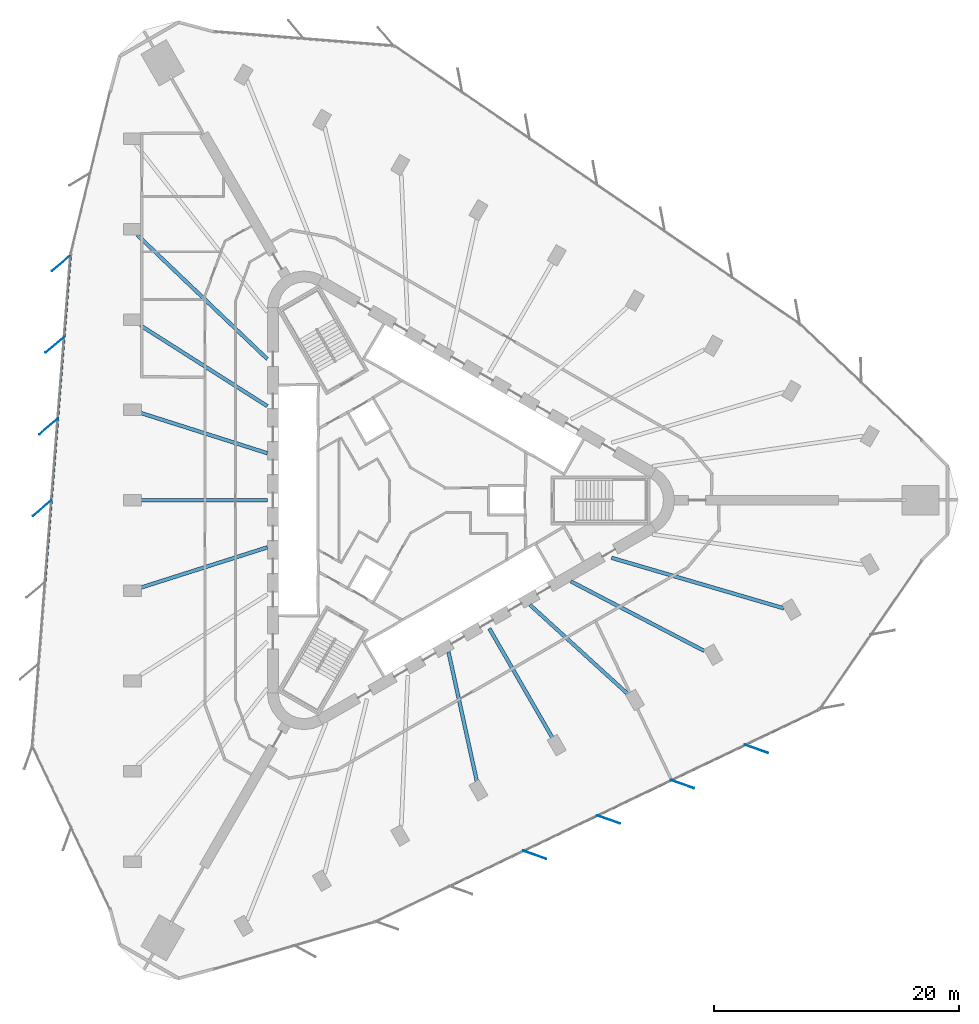
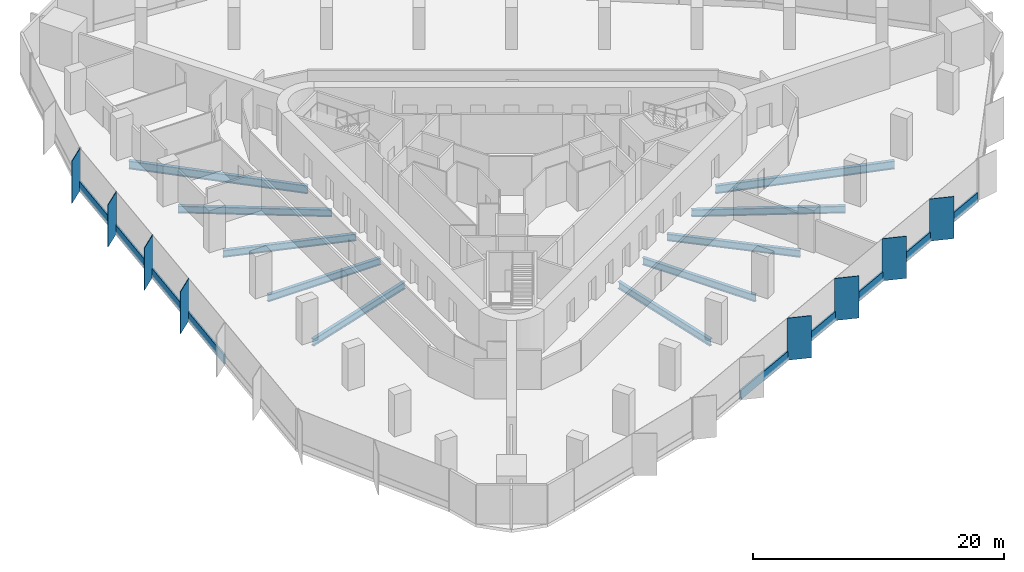
# One storey, part 3 of 14: 17 members, 10 beams, 2 elements without a shape of their own.
"""IFC4 building model written with IfcOpenShell, lengths in metres."""

from ifc_helpers import new_model, si_unit, direction, frame, origin, origin_2d, place, context, subcontext, project, spatial, rectangle, i_section, extrude, material, material_profile, profile_set, type_object, element, aggregate, save


model = new_model("IFC4")

# Units and contexts
model_context = context("Model", 3, precision=1e-05, world=origin(), true_north=direction((0.0, 1.0)))
body_context = subcontext(model_context, "Body", "Model", "MODEL_VIEW")
ifc_project = project(units=[si_unit("LENGTHUNIT", "METRE"), si_unit("AREAUNIT", "SQUARE_METRE"), si_unit("VOLUMEUNIT", "CUBIC_METRE"), si_unit("PLANEANGLEUNIT", "RADIAN"), si_unit("MASSUNIT", "GRAM", prefix="KILO")], contexts=[model_context])

# Site, building, storey
site_placement = place(None, origin())
site = spatial("IfcSite", under=ifc_project, at=site_placement, CompositionType="ELEMENT")
building_placement = place(site_placement, origin())
building = spatial("IfcBuilding", under=site, at=building_placement, Name="Tanit Gate Tower", CompositionType="ELEMENT")
storey_placement = place(building_placement, frame((0.0, 0.0, 82.39990234375)))
storey = spatial("IfcBuildingStorey", under=building, at=storey_placement, Name="L16", CompositionType="ELEMENT", Elevation=82.39990234375)

# Curtain wall, members
ifc_material_1 = material(Name="Aluminium bronze anodised and glass", Category="aluminium")
curtain_wall_type = type_object("IfcCurtainWallType", Name="Curtain wall typical low", PredefinedType="NOTDEFINED", material=ifc_material_1)
curtain_wall_1_placement = place(storey_placement, origin())
curtain_wall_1 = element("IfcCurtainWall", 1, at=curtain_wall_1_placement, inside=storey, type_object=curtain_wall_type, Name="Curtain wall L16 W2", PredefinedType="NOTDEFINED")
ifc_material_2 = material(Name="Aluminium bronze anodised", Category="aluminium")
ifc_material_profile_1 = material_profile(ifc_material_2, rectangle(XDim=2.0, YDim=0.055908203125, at=origin_2d()), Name="56x2000 bronze fin mullion")
ifc_profile_set_1 = profile_set([ifc_material_profile_1], Name="Aluminium bronze anodised")
member_type_1 = type_object("IfcMemberType", Name="FIN MULLION 56x2000 bronze", PredefinedType="MULLION", material=ifc_profile_set_1)
member_1_placement = place(storey_placement, frame((-28.95263671875, 19.40625, -0.2998046875), z_axis=(0.0, 0.0, 1.0), x_axis=(0.75991198916, 0.650025975428, 0.0)))
member_1 = element("IfcMember", 2, at=member_1_placement, type_object=member_type_1, Name="Fin mullion L16 W2.1", PredefinedType="MULLION", context=body_context, shape_type="SweptSolid", body=[
    extrude(rectangle(XDim=2.0, YDim=0.055908203125, at=origin_2d()), origin(), (0.0, 0.0, 1.0), 4.099853515625),
])
member_2_placement = place(storey_placement, frame((-29.47314453125, 12.726318359375, -0.2998046875), z_axis=(0.0, 0.0, 1.0), x_axis=(0.75991198916, 0.650025975428, 0.0)))
member_2 = element("IfcMember", 3, at=member_2_placement, type_object=member_type_1, Name="Fin mullion L16 W2.2", PredefinedType="MULLION", context=body_context, shape_type="SweptSolid", body=[
    extrude(rectangle(XDim=2.0, YDim=0.055908203125, at=origin_2d()), origin(), (0.0, 0.0, 1.0), 4.099853515625),
])
member_3_placement = place(storey_placement, frame((-29.99365234375, 6.04638671875, -0.2998046875), z_axis=(0.0, 0.0, 1.0), x_axis=(0.75991198916, 0.650025975428, 0.0)))
member_3 = element("IfcMember", 4, at=member_3_placement, type_object=member_type_1, Name="Fin mullion L16 W2.3", PredefinedType="MULLION", context=body_context, shape_type="SweptSolid", body=[
    extrude(rectangle(XDim=2.0, YDim=0.055908203125, at=origin_2d()), origin(), (0.0, 0.0, 1.0), 4.099853515625),
])
member_4_placement = place(storey_placement, frame((-30.514404296875, -0.633544921875, -0.2998046875), z_axis=(0.0, 0.0, 1.0), x_axis=(0.75991198916, 0.650025975428, 0.0)))
member_4 = element("IfcMember", 5, at=member_4_placement, type_object=member_type_1, Name="Fin mullion L16 W2.4", PredefinedType="MULLION", context=body_context, shape_type="SweptSolid", body=[
    extrude(rectangle(XDim=2.0, YDim=0.055908203125, at=origin_2d()), origin(), (0.0, 0.0, 1.0), 4.099853515625),
])

curtain_wall_2_placement = place(storey_placement, origin())
curtain_wall_2 = element("IfcCurtainWall", 6, at=curtain_wall_2_placement, inside=storey, type_object=curtain_wall_type, Name="Curtain wall L16 SE2", PredefinedType="NOTDEFINED")
member_5_placement = place(storey_placement, frame((9.760498046875, -28.99853515625, -0.2998046875), z_axis=(0.0, 0.0, 1.0), x_axis=(-0.94289500242, 0.333090099539, 0.0)))
member_5 = element("IfcMember", 7, at=member_5_placement, type_object=member_type_1, Name="Fin mullion L16 SE2.3", PredefinedType="MULLION", context=body_context, shape_type="SweptSolid", body=[
    extrude(rectangle(XDim=2.0, YDim=0.055908203125, at=origin_2d()), origin(), (0.0, 0.0, 1.0), 4.099853515625),
])
member_6_placement = place(storey_placement, frame((15.8056640625, -26.109375, -0.2998046875), z_axis=(0.0, 0.0, 1.0), x_axis=(-0.94289500242, 0.333090099539, 0.0)))
member_6 = element("IfcMember", 8, at=member_6_placement, type_object=member_type_1, Name="Fin mullion L16 SE2.4", PredefinedType="MULLION", context=body_context, shape_type="SweptSolid", body=[
    extrude(rectangle(XDim=2.0, YDim=0.055908203125, at=origin_2d()), origin(), (0.0, 0.0, 1.0), 4.099853515625),
])
member_7_placement = place(storey_placement, frame((21.85107421875, -23.220458984375, -0.2998046875), z_axis=(0.0, 0.0, 1.0), x_axis=(-0.94289500242, 0.333090099539, 0.0)))
member_7 = element("IfcMember", 9, at=member_7_placement, type_object=member_type_1, Name="Fin mullion L16 SE2.5", PredefinedType="MULLION", context=body_context, shape_type="SweptSolid", body=[
    extrude(rectangle(XDim=2.0, YDim=0.055908203125, at=origin_2d()), origin(), (0.0, 0.0, 1.0), 4.099853515625),
])
member_8_placement = place(storey_placement, frame((27.896240234375, -20.331298828125, -0.2998046875), z_axis=(0.0, 0.0, 1.0), x_axis=(-0.94289500242, 0.333090099539, 0.0)))
member_8 = element("IfcMember", 10, at=member_8_placement, type_object=member_type_1, Name="Fin mullion L16 SE2.6", PredefinedType="MULLION", context=body_context, shape_type="SweptSolid", body=[
    extrude(rectangle(XDim=2.0, YDim=0.055908203125, at=origin_2d()), origin(), (0.0, 0.0, 1.0), 4.099853515625),
])

# Beams
ifc_material_3 = material(Name="Steel S355", Category="steel")
ifc_material_profile_2 = material_profile(ifc_material_3, i_section(OverallWidth=0.300048828125, OverallDepth=0.68994140625, WebThickness=0.014404296875, FlangeThickness=0.027099609375, FilletRadius=0.027099609375, at=origin_2d()), Name="HEA 700")
ifc_profile_set_2 = profile_set([ifc_material_profile_2], Name="Steel S355")
beam_type_1 = type_object("IfcBeamType", Name="RADIAL GIRDER HEA 700 S355", PredefinedType="BEAM", material=ifc_profile_set_2)
for number, where, z_axis, x_axis, name in (
    (11, (-22.485595703125, -7.15283203125, -0.64501953125), (0.952942551403, 0.303150942148, 0.0), (-0.303150942148, 0.952942551403, 0.0), "RADIAL GIRDER"),
    (12, (5.04833984375, -23.049560546875, -0.64501953125), (-0.213952125378, 0.976844147265, 0.0), (-0.976844147265, -0.213952125378, 0.0), "RADIAL GIRDER"),
):
    element("IfcBeam", number, at=place(storey_placement, frame(where, z_axis=z_axis, x_axis=x_axis)), inside=storey, type_object=beam_type_1, Name=name, PredefinedType="BEAM", context=body_context, shape_type="SweptSolid", body=[
        extrude(i_section(OverallWidth=0.300048828125, OverallDepth=0.68994140625, WebThickness=0.014404296875, FlangeThickness=0.027099609375, FilletRadius=0.027099609375, at=origin_2d()), origin(), (0.0, 0.0, 1.0), 10.896240234375),
    ])
beam_1_placement = place(storey_placement, frame((11.242919921875, -19.47314453125, -0.64501953125), z_axis=(-0.50000806818, 0.866020745569, 0.0), x_axis=(-0.866020745569, -0.50000806818, 0.0)))
element("IfcBeam", 13, at=beam_1_placement, inside=storey, type_object=beam_type_1, Name="RADIAL GIRDER", PredefinedType="BEAM", context=body_context, shape_type="SweptSolid", body=[
    extrude(i_section(OverallWidth=0.300048828125, OverallDepth=0.68994140625, WebThickness=0.014404296875, FlangeThickness=0.027099609375, FilletRadius=0.027099609375, at=origin_2d()), origin(), (0.0, 0.0, 1.0), 10.383544921875),
])
beam_2_placement = place(storey_placement, frame((17.4375, -15.896728515625, -0.64501953125), z_axis=(-0.73900866501, 0.673695920308, 0.0), x_axis=(-0.673695920308, -0.73900866501, 0.0)))
element("IfcBeam", 14, at=beam_2_placement, inside=storey, type_object=beam_type_1, Name="RADIAL GIRDER", PredefinedType="BEAM", context=body_context, shape_type="SweptSolid", body=[
    extrude(i_section(OverallWidth=0.300048828125, OverallDepth=0.68994140625, WebThickness=0.014404296875, FlangeThickness=0.027099609375, FilletRadius=0.027099609375, at=origin_2d()), origin(), (0.0, 0.0, 1.0), 10.896240234375),
])
for number, where, z_axis, x_axis, name in (
    (15, (23.635498046875, -12.322021484375, -0.64501953125), (-0.886731546417, 0.462284722426, 0.0), (-0.462284722426, -0.886731546417, 0.0), "RADIAL GIRDER"),
    (16, (-22.489013671875, 14.307861328125, -0.64501953125), (0.843716193989, -0.536789515546, 0.0), (0.536789515546, 0.843716193989, 0.0), "RADIAL GIRDER"),
):
    element("IfcBeam", number, at=place(storey_placement, frame(where, z_axis=z_axis, x_axis=x_axis)), inside=storey, type_object=beam_type_1, Name=name, PredefinedType="BEAM", context=body_context, shape_type="SweptSolid", body=[
        extrude(i_section(OverallWidth=0.300048828125, OverallDepth=0.68994140625, WebThickness=0.014404296875, FlangeThickness=0.027099609375, FilletRadius=0.027099609375, at=origin_2d()), origin(), (0.0, 0.0, 1.0), 12.31103515625),
    ])
beam_3_placement = place(storey_placement, frame((-22.485595703125, 7.15283203125, -0.64501953125), z_axis=(0.952942551403, -0.303150942148, 0.0), x_axis=(0.303150942148, 0.952942551403, 0.0)))
element("IfcBeam", 17, at=beam_3_placement, inside=storey, type_object=beam_type_1, Name="RADIAL GIRDER", PredefinedType="BEAM", context=body_context, shape_type="SweptSolid", body=[
    extrude(i_section(OverallWidth=0.300048828125, OverallDepth=0.68994140625, WebThickness=0.014404296875, FlangeThickness=0.027099609375, FilletRadius=0.027099609375, at=origin_2d()), origin(), (0.0, 0.0, 1.0), 10.896240234375),
])
beam_4_placement = place(storey_placement, frame((-22.485595703125, 0.0, -0.64501953125), z_axis=(1.0, 0.0, 0.0), x_axis=(0.0, 1.0, 0.0)))
element("IfcBeam", 18, at=beam_4_placement, inside=storey, type_object=beam_type_1, Name="RADIAL GIRDER", PredefinedType="BEAM", context=body_context, shape_type="SweptSolid", body=[
    extrude(i_section(OverallWidth=0.300048828125, OverallDepth=0.68994140625, WebThickness=0.014404296875, FlangeThickness=0.027099609375, FilletRadius=0.027099609375, at=origin_2d()), origin(), (0.0, 0.0, 1.0), 10.383544921875),
])
ifc_material_4 = material(Name="Steel S355", Category="steel")
ifc_material_profile_3 = material_profile(ifc_material_4, i_section(OverallWidth=0.300048828125, OverallDepth=0.7900390625, WebThickness=0.014892578125, FlangeThickness=0.028076171875, FilletRadius=0.030029296875, at=origin_2d()), Name="HEA 800")
ifc_profile_set_3 = profile_set([ifc_material_profile_3], Name="Steel S355")
beam_type_2 = type_object("IfcBeamType", Name="RADIAL GIRDER HEA 800 S355", PredefinedType="BEAM", material=ifc_profile_set_3)
for number, where, z_axis, x_axis, name in (
    (19, (30.1611328125, -8.841796875, -0.69482421875), (-0.95961764668, 0.28130761131, 0.0), (-0.28130761131, -0.95961764668, 0.0), "RADIAL GIRDER"),
    (20, (-22.738037109375, 21.69921875, -0.69482421875), (0.723444887899, -0.690382136337, 0.0), (0.690382136337, 0.723444887899, 0.0), "RADIAL GIRDER"),
):
    element("IfcBeam", number, at=place(storey_placement, frame(where, z_axis=z_axis, x_axis=x_axis)), inside=storey, type_object=beam_type_2, Name=name, PredefinedType="BEAM", context=body_context, shape_type="SweptSolid", body=[
        extrude(i_section(OverallWidth=0.300048828125, OverallDepth=0.7900390625, WebThickness=0.014892578125, FlangeThickness=0.028076171875, FilletRadius=0.030029296875, at=origin_2d()), origin(), (0.0, 0.0, 1.0), 14.701904296875),
    ])

# Member
ifc_material_5 = material(Name="Aluminium bronze anodised", Category="aluminium")
ifc_material_profile_4 = material_profile(ifc_material_5, rectangle(XDim=0.159912109375, YDim=0.89990234375, at=origin_2d()), Name="160x900 bronze transom")
ifc_profile_set_4 = profile_set([ifc_material_profile_4], Name="Aluminium bronze anodised")
member_type_2 = type_object("IfcMemberType", Name="Transom 160x900 typical low", PredefinedType="USERDEFINED", material=ifc_profile_set_4)
member_9_placement = place(storey_placement, frame((-28.212890625, 20.001708984375, 0.150146484375), z_axis=(-0.077703246028, -0.996976532099, 0.0), x_axis=(0.996976532099, -0.077703246028, 0.0)))
member_9 = element("IfcMember", 21, at=member_9_placement, type_object=member_type_2, Name="Transom L16 W2.1", ObjectType="TRANSOM", PredefinedType="USERDEFINED", context=body_context, shape_type="SweptSolid", body=[
    extrude(rectangle(XDim=0.159912109375, YDim=0.89990234375, at=origin_2d()), origin(), (0.0, 0.0, 1.0), 6.6201171875),
])

member_10_placement = place(storey_placement, frame((-28.733642578125, 13.32177734375, 0.150146484375), z_axis=(-0.077703246028, -0.996976532099, 0.0), x_axis=(0.996976532099, -0.077703246028, 0.0)))
member_10 = element("IfcMember", 22, at=member_10_placement, type_object=member_type_2, Name="Transom L16 W2.2", ObjectType="TRANSOM", PredefinedType="USERDEFINED", context=body_context, shape_type="SweptSolid", body=[
    extrude(rectangle(XDim=0.159912109375, YDim=0.89990234375, at=origin_2d()), origin(), (0.0, 0.0, 1.0), 6.6201171875),
])

member_11_placement = place(storey_placement, frame((-29.254150390625, 6.641845703125, 0.150146484375), z_axis=(-0.077703246028, -0.996976532099, 0.0), x_axis=(0.996976532099, -0.077703246028, 0.0)))
member_11 = element("IfcMember", 23, at=member_11_placement, type_object=member_type_2, Name="Transom L16 W2.3", ObjectType="TRANSOM", PredefinedType="USERDEFINED", context=body_context, shape_type="SweptSolid", body=[
    extrude(rectangle(XDim=0.159912109375, YDim=0.89990234375, at=origin_2d()), origin(), (0.0, 0.0, 1.0), 6.6201171875),
])

member_12_placement = place(storey_placement, frame((-29.774658203125, -0.0380859375, 0.150146484375), z_axis=(-0.077703246028, -0.996976532099, 0.0), x_axis=(0.996976532099, -0.077703246028, 0.0)))
member_12 = element("IfcMember", 24, at=member_12_placement, type_object=member_type_2, Name="Transom L16 W2.4", ObjectType="TRANSOM", PredefinedType="USERDEFINED", context=body_context, shape_type="SweptSolid", body=[
    extrude(rectangle(XDim=0.159912109375, YDim=0.89990234375, at=origin_2d()), origin(), (0.0, 0.0, 1.0), 6.6201171875),
])

aggregate(curtain_wall_1, [member_1, member_2, member_3, member_4, member_9, member_10, member_11, member_12])

member_13_placement = place(storey_placement, frame((2.829833984375, -31.544921875, 0.150146484375), z_axis=(0.902250892511, 0.431211464323, 0.0), x_axis=(-0.431211464323, 0.902250892511, 0.0)))
member_13 = element("IfcMember", 25, at=member_13_placement, type_object=member_type_2, Name="Transom L16 SE2.2", ObjectType="TRANSOM", PredefinedType="USERDEFINED", context=body_context, shape_type="SweptSolid", body=[
    extrude(rectangle(XDim=0.159912109375, YDim=0.89990234375, at=origin_2d()), origin(), (0.0, 0.0, 1.0), 6.620361328125),
])

member_14_placement = place(storey_placement, frame((8.875, -28.65576171875, 0.150146484375), z_axis=(0.902265239929, 0.431181443033, 0.0), x_axis=(-0.431181443033, 0.902265239929, 0.0)))
member_14 = element("IfcMember", 26, at=member_14_placement, type_object=member_type_2, Name="Transom L16 SE2.3", ObjectType="TRANSOM", PredefinedType="USERDEFINED", context=body_context, shape_type="SweptSolid", body=[
    extrude(rectangle(XDim=0.159912109375, YDim=0.89990234375, at=origin_2d()), origin(), (0.0, 0.0, 1.0), 6.6201171875),
])

member_15_placement = place(storey_placement, frame((14.920166015625, -25.7666015625, 0.150146484375), z_axis=(0.902265239929, 0.431181443033, 0.0), x_axis=(-0.431181443033, 0.902265239929, 0.0)))
member_15 = element("IfcMember", 27, at=member_15_placement, type_object=member_type_2, Name="Transom L16 SE2.4", ObjectType="TRANSOM", PredefinedType="USERDEFINED", context=body_context, shape_type="SweptSolid", body=[
    extrude(rectangle(XDim=0.159912109375, YDim=0.89990234375, at=origin_2d()), origin(), (0.0, 0.0, 1.0), 6.6201171875),
])

member_16_placement = place(storey_placement, frame((20.965576171875, -22.877685546875, 0.150146484375), z_axis=(0.902250892511, 0.431211464323, 0.0), x_axis=(-0.431211464323, 0.902250892511, 0.0)))
member_16 = element("IfcMember", 28, at=member_16_placement, type_object=member_type_2, Name="Transom L16 SE2.5", ObjectType="TRANSOM", PredefinedType="USERDEFINED", context=body_context, shape_type="SweptSolid", body=[
    extrude(rectangle(XDim=0.159912109375, YDim=0.89990234375, at=origin_2d()), origin(), (0.0, 0.0, 1.0), 6.620361328125),
])

member_17_placement = place(storey_placement, frame((27.0107421875, -19.988525390625, 0.150146484375), z_axis=(0.902265239929, 0.431181443033, 0.0), x_axis=(-0.431181443033, 0.902265239929, 0.0)))
member_17 = element("IfcMember", 29, at=member_17_placement, type_object=member_type_2, Name="Transom L16 SE2.6", ObjectType="TRANSOM", PredefinedType="USERDEFINED", context=body_context, shape_type="SweptSolid", body=[
    extrude(rectangle(XDim=0.159912109375, YDim=0.89990234375, at=origin_2d()), origin(), (0.0, 0.0, 1.0), 6.6201171875),
])

aggregate(curtain_wall_2, [member_5, member_6, member_7, member_8, member_13, member_14, member_15, member_16, member_17])

save(model, "model.ifc")
